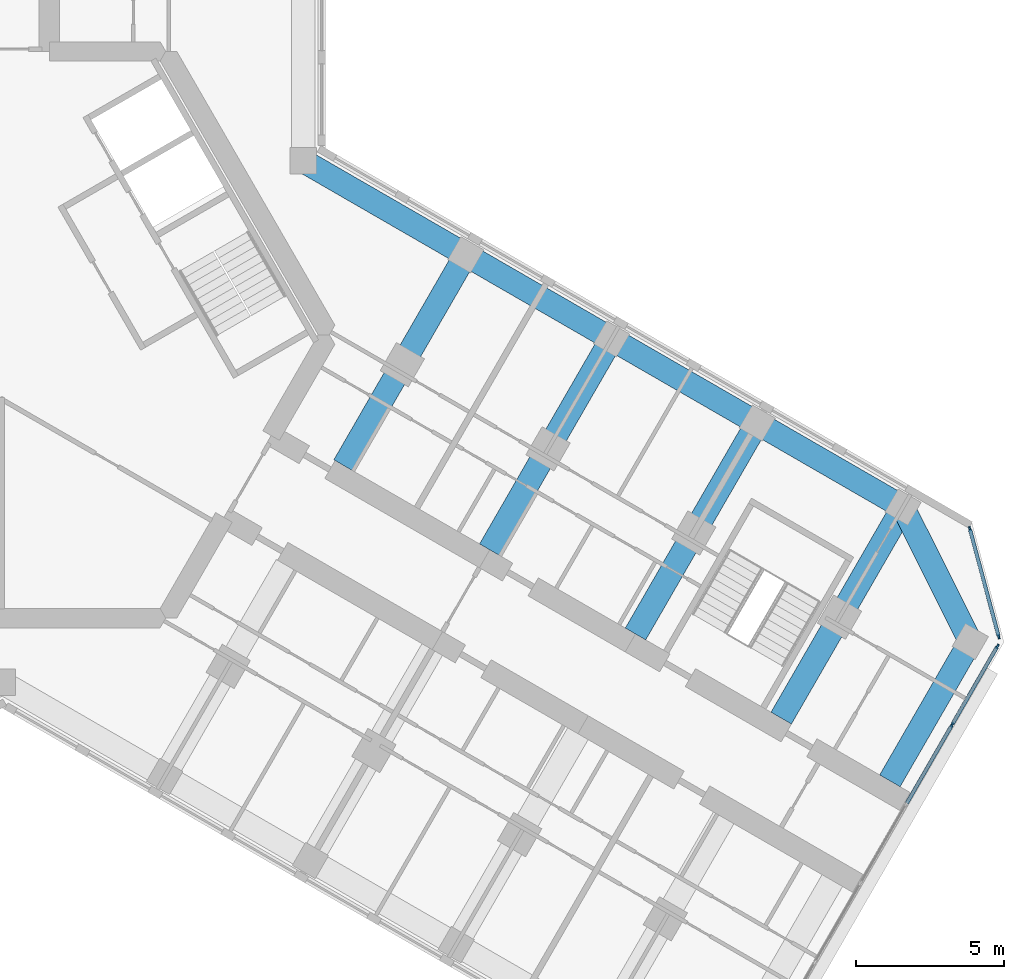
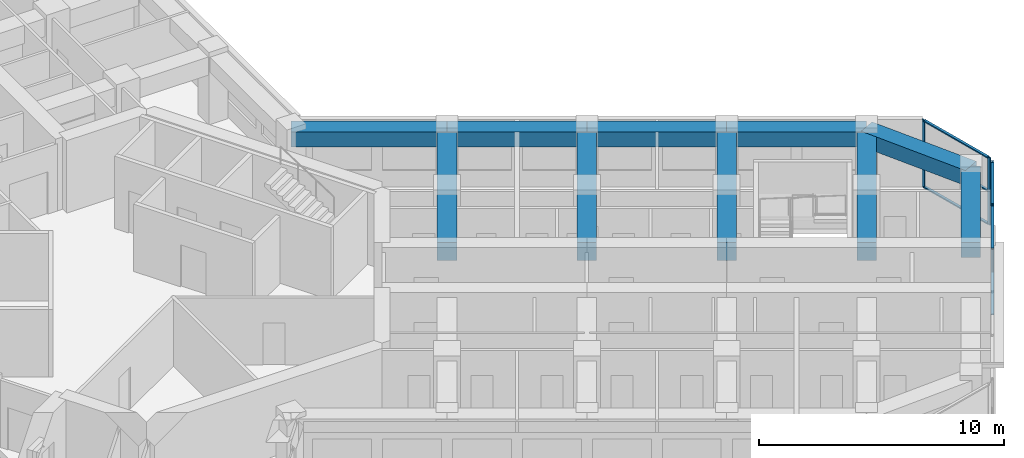
# One storey, part 5 of 16: 11 members, 10 beams, 2 elements without a shape of their own.
"""IFC4 building model written with IfcOpenShell, lengths in metres."""

from ifc_helpers import new_model, si_unit, direction, frame, origin, origin_2d, place, context, subcontext, project, spatial, rectangle, extrude, material, material_profile, profile_set, type_object, element, aggregate, save


model = new_model("IFC4")

# Units and contexts
model_context = context("Model", 3, precision=1e-05, world=origin(), true_north=direction((0.0, 1.0)))
body_context = subcontext(model_context, "Body", "Model", "MODEL_VIEW")
ifc_project = project(units=[si_unit("LENGTHUNIT", "METRE"), si_unit("AREAUNIT", "SQUARE_METRE"), si_unit("VOLUMEUNIT", "CUBIC_METRE"), si_unit("PLANEANGLEUNIT", "RADIAN"), si_unit("MASSUNIT", "GRAM", prefix="KILO")], contexts=[model_context])

# Site, building, storey
site_placement = place(None, origin())
site = spatial("IfcSite", under=ifc_project, at=site_placement, CompositionType="ELEMENT")
building_placement = place(site_placement, origin())
building = spatial("IfcBuilding", under=site, at=building_placement, Name="Kosmar Iwan School Tower", CompositionType="ELEMENT")
storey_placement = place(building_placement, frame((0.0, 0.0, 197.39990234375)))
storey = spatial("IfcBuildingStorey", under=building, at=storey_placement, Name="L49", CompositionType="ELEMENT", Elevation=197.39990234375)

# Curtain wall, members
ifc_material_1 = material(Name="Dark glass in black aluminium frame", Category="aluminium")
curtain_wall_type_1 = type_object("IfcCurtainWallType", Name="Tower curtain wall dark glass", PredefinedType="USERDEFINED", material=ifc_material_1)
curtain_wall_1_placement = place(storey_placement, origin())
curtain_wall_1 = element("IfcCurtainWall", 1, at=curtain_wall_1_placement, inside=storey, type_object=curtain_wall_type_1, Name="Curtain wall L49-F01", ObjectType="UNITISED CURTAIN WALL", PredefinedType="USERDEFINED")
ifc_material_2 = material(Name="Black anodised aluminium", Category="aluminium")
ifc_material_profile_1 = material_profile(ifc_material_2, rectangle(XDim=0.06005859375, YDim=0.159912109375, at=origin_2d()), Name="MULLION 60x160")
ifc_profile_set_1 = profile_set([ifc_material_profile_1], Name="Black anodised aluminium")
member_type_1 = type_object("IfcMemberType", Name="Mullion 60x160", PredefinedType="MULLION", material=ifc_profile_set_1)
member_1_placement = place(storey_placement, frame((32.1806640625, -13.21142578125, 0.0), z_axis=(0.0, 0.0, 1.0), x_axis=(-0.866025405329, 0.499999997325, 0.0)))
member_1 = element("IfcMember", 2, at=member_1_placement, type_object=member_type_1, Name="CW1 mullion 5", PredefinedType="MULLION", context=body_context, shape_type="SweptSolid", body=[
    extrude(rectangle(XDim=0.06005859375, YDim=0.159912109375, at=origin_2d()), origin(), (0.0, 0.0, 1.0), 3.35009765625),
])
member_2_placement = place(storey_placement, frame((33.71533203125, -10.55322265625, 0.0), z_axis=(0.0, 0.0, 1.0), x_axis=(-0.866025405329, 0.499999997325, 0.0)))
member_2 = element("IfcMember", 3, at=member_2_placement, type_object=member_type_1, Name="CW1 mullion 6", PredefinedType="MULLION", context=body_context, shape_type="SweptSolid", body=[
    extrude(rectangle(XDim=0.06005859375, YDim=0.159912109375, at=origin_2d()), origin(), (0.0, 0.0, 1.0), 3.35009765625),
])

ifc_material_3 = material(Name="Dark glass in black aluminium frame", Category="aluminium")
curtain_wall_type_2 = type_object("IfcCurtainWallType", Name="Chamfer curtain wall dark glass", PredefinedType="USERDEFINED", material=ifc_material_3)
curtain_wall_2_placement = place(storey_placement, origin())
curtain_wall_2 = element("IfcCurtainWall", 4, at=curtain_wall_2_placement, inside=storey, type_object=curtain_wall_type_2, Name="Curtain wall L49-F02", ObjectType="FACETED CURTAIN WALL", PredefinedType="USERDEFINED")
member_3_placement = place(storey_placement, frame((33.7587890625, -10.2236328125, 0.0), z_axis=(0.0, 0.0, 1.0), x_axis=(-0.965925875495, -0.258818861462, 0.0)))
member_3 = element("IfcMember", 5, at=member_3_placement, type_object=member_type_1, Name="CW2 mullion 1", PredefinedType="MULLION", context=body_context, shape_type="SweptSolid", body=[
    extrude(rectangle(XDim=0.06005859375, YDim=0.159912109375, at=origin_2d()), origin(), (0.0, 0.0, 1.0), 3.35009765625),
])
member_4_placement = place(storey_placement, frame((32.78076171875, -6.5732421875, 0.0), z_axis=(0.0, 0.0, 1.0), x_axis=(-0.965925875495, -0.258818861462, 0.0)))
member_4 = element("IfcMember", 6, at=member_4_placement, type_object=member_type_1, Name="CW2 mullion 2", PredefinedType="MULLION", context=body_context, shape_type="SweptSolid", body=[
    extrude(rectangle(XDim=0.06005859375, YDim=0.159912109375, at=origin_2d()), origin(), (0.0, 0.0, 1.0), 3.35009765625),
])

# Beams
ifc_material_4 = material(Name="Concrete C50/60", Category="concrete")
ifc_material_profile_2 = material_profile(ifc_material_4, rectangle(XDim=0.800048828125, YDim=0.75, at=origin_2d()), Name="RC 800x750")
ifc_profile_set_2 = profile_set([ifc_material_profile_2], Name="Concrete C50/60")
beam_type_1 = type_object("IfcBeamType", Name="RC edge beam 800x750", PredefinedType="BEAM", material=ifc_profile_set_2)
beam_1_placement = place(storey_placement, frame((10.199951171875, 5.888916015625, 2.97509765625), z_axis=(0.866030912664, -0.49999045822, 0.0), x_axis=(0.49999045822, 0.866030912664, 0.0)))
element("IfcBeam", 7, at=beam_1_placement, inside=storey, type_object=beam_type_1, Name="Edge beam CL1", PredefinedType="BEAM", context=body_context, shape_type="SweptSolid", body=[
    extrude(rectangle(XDim=0.800048828125, YDim=0.75, at=origin_2d()), origin(), (0.0, 0.0, 1.0), 6.36083984375),
])
beam_2_placement = place(storey_placement, frame((15.708740234375, 2.70849609375, 2.97509765625), z_axis=(0.866025820012, -0.499999279071, 0.0), x_axis=(0.499999279071, 0.866025820012, 0.0)))
element("IfcBeam", 8, at=beam_2_placement, inside=storey, type_object=beam_type_1, Name="Edge beam CL2", PredefinedType="BEAM", context=body_context, shape_type="SweptSolid", body=[
    extrude(rectangle(XDim=0.800048828125, YDim=0.75, at=origin_2d()), origin(), (0.0, 0.0, 1.0), 5.7001953125),
])
for number, where, z_axis, x_axis, name in (
    (9, (20.645263671875, -0.1416015625, 2.97509765625), (0.866033658841, -0.49998570155, 0.0), (0.49998570155, 0.866033658841, 0.0), "Edge beam CL3"),
    (10, (25.58154296875, -2.991455078125, 2.97509765625), (0.866015111908, -0.50001782563, 0.0), (0.50001782563, 0.866015111908, 0.0), "Edge beam CL4"),
):
    element("IfcBeam", number, at=place(storey_placement, frame(where, z_axis=z_axis, x_axis=x_axis)), inside=storey, type_object=beam_type_1, Name=name, PredefinedType="BEAM", context=body_context, shape_type="SweptSolid", body=[
        extrude(rectangle(XDim=0.800048828125, YDim=0.75, at=origin_2d()), origin(), (0.0, 0.0, 1.0), 5.699951171875),
    ])
ifc_material_5 = material(Name="Concrete C50/60", Category="concrete")
ifc_material_profile_3 = material_profile(ifc_material_5, rectangle(XDim=0.800048828125, YDim=0.75, at=origin_2d()), Name="RC 800x750")
ifc_profile_set_3 = profile_set([ifc_material_profile_3], Name="Concrete C50/60")
beam_type_2 = type_object("IfcBeamType", Name="RC tip beam 800x750", PredefinedType="BEAM", material=ifc_profile_set_3)
beam_3_placement = place(storey_placement, frame((30.517822265625, -5.841552734375, 2.97509765625), z_axis=(0.44809604203, -0.893985423325, 0.0), x_axis=(0.893985423325, 0.44809604203, 0.0)))
element("IfcBeam", 11, at=beam_3_placement, inside=storey, type_object=beam_type_2, Name="Tip beam CL", PredefinedType="BEAM", context=body_context, shape_type="SweptSolid", body=[
    extrude(rectangle(XDim=0.800048828125, YDim=0.75, at=origin_2d()), origin(), (0.0, 0.0, 1.0), 5.08935546875),
])
beam_4_placement = place(storey_placement, frame((32.79833984375, -10.391357421875, 2.97509765625), z_axis=(-0.49996933381, -0.866043108194, 0.0), x_axis=(0.866043108194, -0.49996933381, 0.0)))
element("IfcBeam", 12, at=beam_4_placement, inside=storey, type_object=beam_type_2, Name="Tip beam CL to corridor wall", PredefinedType="BEAM", context=body_context, shape_type="SweptSolid", body=[
    extrude(rectangle(XDim=0.800048828125, YDim=0.75, at=origin_2d()), origin(), (0.0, 0.0, 1.0), 5.449951171875),
])
ifc_material_6 = material(Name="Concrete C50/60", Category="concrete")
ifc_material_profile_4 = material_profile(ifc_material_6, rectangle(XDim=0.800048828125, YDim=0.89990234375, at=origin_2d()), Name="RC 800x900")
ifc_profile_set_4 = profile_set([ifc_material_profile_4], Name="Concrete C50/60")
beam_type_3 = type_object("IfcBeamType", Name="RC transverse beam 800x900", PredefinedType="BEAM", material=ifc_profile_set_4)
beam_5_placement = place(storey_placement, frame((15.708740234375, 2.70849609375, 2.900146484375), z_axis=(-0.499996545922, -0.866027397988, 0.0), x_axis=(0.866027397988, -0.499996545922, 0.0)))
element("IfcBeam", 13, at=beam_5_placement, inside=storey, type_object=beam_type_3, Name="Transverse beam CL1", PredefinedType="BEAM", context=body_context, shape_type="SweptSolid", body=[
    extrude(rectangle(XDim=0.800048828125, YDim=0.89990234375, at=origin_2d()), origin(), (0.0, 0.0, 1.0), 8.25),
])
beam_6_placement = place(storey_placement, frame((20.645263671875, -0.1416015625, 2.900146484375), z_axis=(-0.500009360108, -0.866019999656, 0.0), x_axis=(0.866019999656, -0.500009360108, 0.0)))
element("IfcBeam", 14, at=beam_6_placement, inside=storey, type_object=beam_type_3, Name="Transverse beam CL2", PredefinedType="BEAM", context=body_context, shape_type="SweptSolid", body=[
    extrude(rectangle(XDim=0.800048828125, YDim=0.89990234375, at=origin_2d()), origin(), (0.0, 0.0, 1.0), 8.249755859375),
])
for number, where, z_axis, x_axis, name in (
    (15, (25.58154296875, -2.991455078125, 2.900146484375), (-0.499996545922, -0.866027397988, 0.0), (0.866027397988, -0.499996545922, 0.0), "Transverse beam CL3"),
    (16, (30.517822265625, -5.841552734375, 2.900146484375), (-0.499996545922, -0.866027397988, 0.0), (0.866027397988, -0.499996545922, 0.0), "Transverse beam CL4"),
):
    element("IfcBeam", number, at=place(storey_placement, frame(where, z_axis=z_axis, x_axis=x_axis)), inside=storey, type_object=beam_type_3, Name=name, PredefinedType="BEAM", context=body_context, shape_type="SweptSolid", body=[
        extrude(rectangle(XDim=0.800048828125, YDim=0.89990234375, at=origin_2d()), origin(), (0.0, 0.0, 1.0), 8.25),
    ])

# Member
ifc_material_7 = material(Name="Black anodised aluminium", Category="aluminium")
ifc_material_profile_5 = material_profile(ifc_material_7, rectangle(XDim=0.1201171875, YDim=0.06005859375, at=origin_2d()), Name="TRANSOM 60x120")
ifc_profile_set_5 = profile_set([ifc_material_profile_5], Name="Black anodised aluminium")
member_type_2 = type_object("IfcMemberType", Name="Transom 60x120", PredefinedType="USERDEFINED", material=ifc_profile_set_5)
member_5_placement = place(storey_placement, frame((30.64599609375, -15.869384765625, 0.030029296875), z_axis=(0.500035348339, 0.866004994449, 0.0), x_axis=(-0.866004994449, 0.500035348339, 0.0)))
member_5 = element("IfcMember", 17, at=member_5_placement, type_object=member_type_2, Name="CW1 transom 4.1", ObjectType="TRANSOM", PredefinedType="USERDEFINED", context=body_context, shape_type="SweptSolid", body=[
    extrude(rectangle(XDim=0.1201171875, YDim=0.06005859375, at=origin_2d()), origin(), (0.0, 0.0, 1.0), 3.039306640625),
])

member_6_placement = place(storey_placement, frame((30.64599609375, -15.869384765625, 3.320068359375), z_axis=(0.500035348339, 0.866004994449, 0.0), x_axis=(-0.866004994449, 0.500035348339, 0.0)))
member_6 = element("IfcMember", 18, at=member_6_placement, type_object=member_type_2, Name="CW1 transom 4.2", ObjectType="TRANSOM", PredefinedType="USERDEFINED", context=body_context, shape_type="SweptSolid", body=[
    extrude(rectangle(XDim=0.1201171875, YDim=0.06005859375, at=origin_2d()), origin(), (0.0, 0.0, 1.0), 3.039306640625),
])

member_7_placement = place(storey_placement, frame((32.19580078125, -13.185302734375, 0.030029296875), z_axis=(0.500022102064, 0.866012642776, 0.0), x_axis=(-0.866012642776, 0.500022102064, 0.0)))
member_7 = element("IfcMember", 19, at=member_7_placement, type_object=member_type_2, Name="CW1 transom 5.1", ObjectType="TRANSOM", PredefinedType="USERDEFINED", context=body_context, shape_type="SweptSolid", body=[
    extrude(rectangle(XDim=0.1201171875, YDim=0.06005859375, at=origin_2d()), origin(), (0.0, 0.0, 1.0), 3.009033203125),
])

member_8_placement = place(storey_placement, frame((32.19580078125, -13.185302734375, 3.320068359375), z_axis=(0.500022102064, 0.866012642776, 0.0), x_axis=(-0.866012642776, 0.500022102064, 0.0)))
member_8 = element("IfcMember", 20, at=member_8_placement, type_object=member_type_2, Name="CW1 transom 5.2", ObjectType="TRANSOM", PredefinedType="USERDEFINED", context=body_context, shape_type="SweptSolid", body=[
    extrude(rectangle(XDim=0.1201171875, YDim=0.06005859375, at=origin_2d()), origin(), (0.0, 0.0, 1.0), 3.009033203125),
])

aggregate(curtain_wall_1, [member_1, member_2, member_5, member_6, member_7, member_8])

member_9_placement = place(storey_placement, frame((33.7509765625, -10.194580078125, 0.030029296875), z_axis=(-0.258843273983, 0.965919333854, 0.0), x_axis=(-0.965919333854, -0.258843273983, 0.0)))
member_9 = element("IfcMember", 21, at=member_9_placement, type_object=member_type_2, Name="CW2 transom 1.1", ObjectType="TRANSOM", PredefinedType="USERDEFINED", context=body_context, shape_type="SweptSolid", body=[
    extrude(rectangle(XDim=0.1201171875, YDim=0.06005859375, at=origin_2d()), origin(), (0.0, 0.0, 1.0), 3.718994140625),
])

member_10_placement = place(storey_placement, frame((33.7509765625, -10.194580078125, 1.675048828125), z_axis=(-0.258843273983, 0.965919333854, 0.0), x_axis=(-0.965919333854, -0.258843273983, 0.0)))
member_10 = element("IfcMember", 22, at=member_10_placement, type_object=member_type_2, Name="CW2 transom 1.2", ObjectType="TRANSOM", PredefinedType="USERDEFINED", context=body_context, shape_type="SweptSolid", body=[
    extrude(rectangle(XDim=0.1201171875, YDim=0.06005859375, at=origin_2d()), origin(), (0.0, 0.0, 1.0), 3.718994140625),
])

member_11_placement = place(storey_placement, frame((33.7509765625, -10.194580078125, 3.320068359375), z_axis=(-0.258843273983, 0.965919333854, 0.0), x_axis=(-0.965919333854, -0.258843273983, 0.0)))
member_11 = element("IfcMember", 23, at=member_11_placement, type_object=member_type_2, Name="CW2 transom 1.3", ObjectType="TRANSOM", PredefinedType="USERDEFINED", context=body_context, shape_type="SweptSolid", body=[
    extrude(rectangle(XDim=0.1201171875, YDim=0.06005859375, at=origin_2d()), origin(), (0.0, 0.0, 1.0), 3.718994140625),
])

aggregate(curtain_wall_2, [member_3, member_4, member_9, member_10, member_11])

save(model, "model.ifc")
